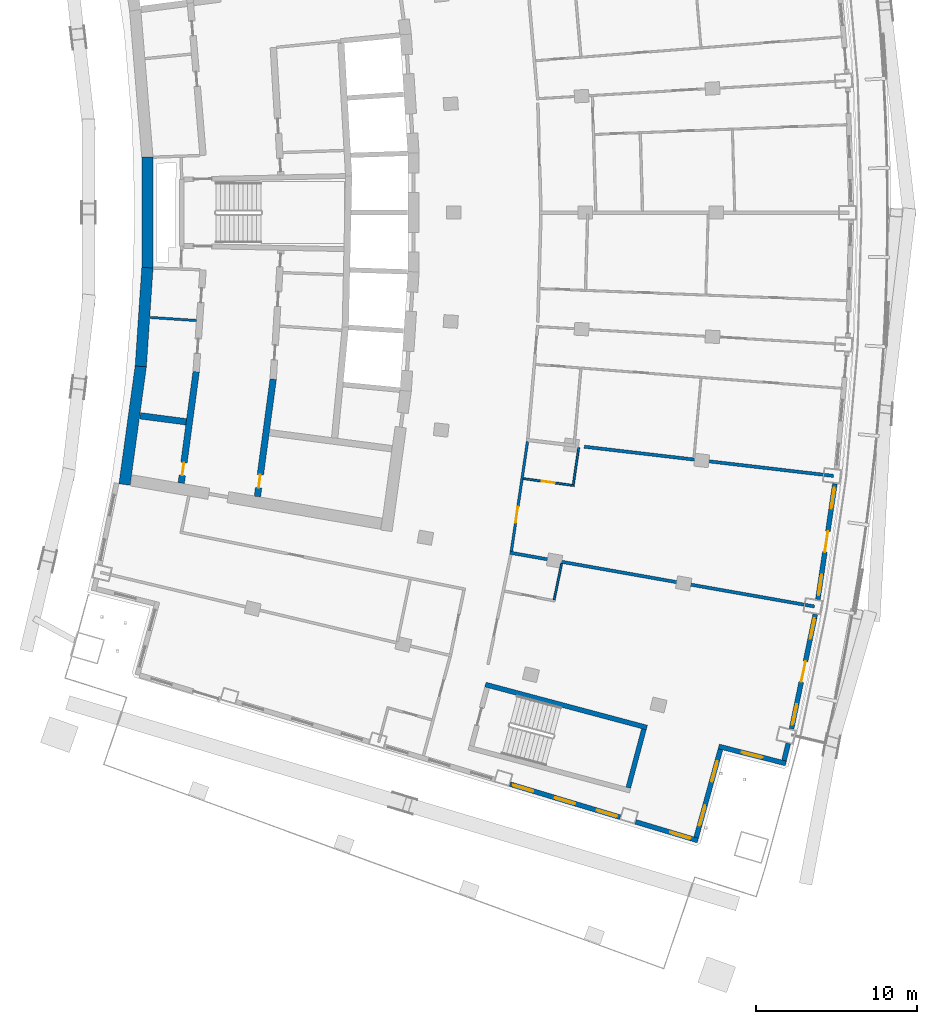
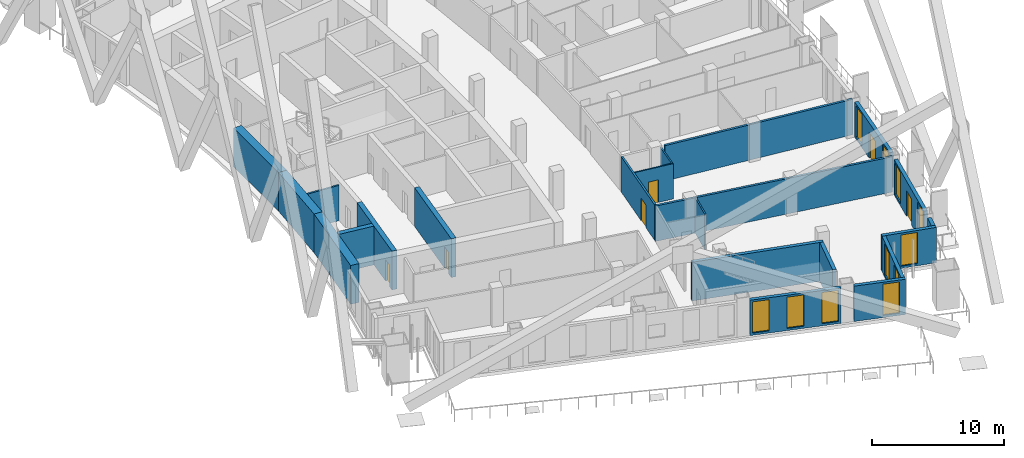
# One storey, part 11 of 20: 22 walls, 11 windows, 6 doors, 17 openings.
"""IFC4 building model written with IfcOpenShell, lengths in metres."""

from ifc_helpers import new_model, si_unit, direction, frame, frame_2d, origin, place, context, subcontext, project, spatial, rectangle, extrude, material, layer, layer_set, type_object, element, fill, save


model = new_model("IFC4")

# Units and contexts
model_context = context("Model", 3, precision=1e-05, world=origin(), true_north=direction((0.0, 1.0)))
body_context = subcontext(model_context, "Body", "Model", "MODEL_VIEW")
ifc_project = project(units=[si_unit("LENGTHUNIT", "METRE"), si_unit("AREAUNIT", "SQUARE_METRE"), si_unit("VOLUMEUNIT", "CUBIC_METRE"), si_unit("PLANEANGLEUNIT", "RADIAN"), si_unit("MASSUNIT", "GRAM", prefix="KILO")], contexts=[model_context])

# Site, building, storey
site_placement = place(None, origin())
site = spatial("IfcSite", under=ifc_project, at=site_placement, CompositionType="ELEMENT")
building_placement = place(site_placement, origin())
building = spatial("IfcBuilding", under=site, at=building_placement, Name="Alderwake Tower", CompositionType="ELEMENT")
storey_placement = place(building_placement, frame((0.0, 0.0, 138.800048828125)))
storey = spatial("IfcBuildingStorey", under=building, at=storey_placement, Name="L33", CompositionType="ELEMENT", Elevation=138.800048828125)

# Walls
ifc_material_1 = material(Name="Gypsum shaft wall system, rated")
ifc_layer_1 = layer(ifc_material_1, 0.14990234375)
ifc_layer_set_1 = layer_set([ifc_layer_1], Name="Core room partition 150")
wall_type_1 = type_object("IfcWallType", Name="Core room partition 150", PredefinedType="PARTITIONING", material=ifc_layer_set_1)
wall_1_placement = place(storey_placement, frame((16.964111328125, 54.49951171875, 0.0), z_axis=(0.0, 0.0, 1.0), x_axis=(0.997759473015, -0.066903168895, 0.0)))
element("IfcWall", 1, at=wall_1_placement, inside=storey, type_object=wall_type_1, Name="CW/L33/PR-70_+0", PredefinedType="PARTITIONING", context=body_context, shape_type="SweptSolid", body=[
    extrude(rectangle(XDim=2.8681640625, YDim=0.14990234375, at=frame_2d((1.43408203125, 0.0))), origin(), (0.0, 0.0, 1.0), 3.280029296875),
])
ifc_material_2 = material(Name="Concrete C70/85", Category="concrete")
ifc_layer_2 = layer(ifc_material_2, 0.699951171875)
ifc_layer_set_2 = layer_set([ifc_layer_2], Name="Core wall outer 700 C70-85")
wall_type_2 = type_object("IfcWallType", Name="Core wall outer 700 C70-85", PredefinedType="SHEAR", material=ifc_layer_set_2)
wall_2_placement = place(storey_placement, frame((15.370849609375, 44.1376953125, 0.0), z_axis=(0.0, 0.0, 1.0), x_axis=(0.136315619812, 0.99066545907, 0.0)))
element("IfcWall", 2, at=wall_2_placement, inside=storey, type_object=wall_type_2, Name="Core wall CW.042", PredefinedType="SHEAR", context=body_context, shape_type="SweptSolid", body=[
    extrude(rectangle(XDim=7.420166015625, YDim=0.699951171875, at=frame_2d((3.7099609375, 0.0))), origin(), (0.0, 0.0, 1.0), 3.599853515625),
])
wall_3_placement = place(storey_placement, frame((16.379638671875, 51.46337890625, 0.0), z_axis=(0.0, 0.0, 1.0), x_axis=(0.066917731608, 0.997758496429, 0.0)))
element("IfcWall", 3, at=wall_3_placement, inside=storey, type_object=wall_type_2, Name="Core wall CW.041", PredefinedType="SHEAR", context=body_context, shape_type="SweptSolid", body=[
    extrude(rectangle(XDim=6.136474609375, YDim=0.699951171875, at=frame_2d((3.068359375, 0.0))), origin(), (0.0, 0.0, 1.0), 3.599853515625),
])
wall_4_placement = place(storey_placement, frame((16.789306640625, 57.561767578125, 0.0), z_axis=(0.0, 0.0, 1.0), x_axis=(0.0, 1.0, 0.0)))
element("IfcWall", 4, at=wall_4_placement, inside=storey, type_object=wall_type_2, Name="Core wall CW.043", PredefinedType="SHEAR", context=body_context, shape_type="SweptSolid", body=[
    extrude(rectangle(XDim=6.87939453125, YDim=0.699951171875, at=frame_2d((3.439697265625, 0.0))), origin(), (0.0, 0.0, 1.0), 3.599853515625),
])

# Wall, opening, door
ifc_material_3 = material(Name="Concrete C70/85", Category="concrete")
ifc_layer_3 = layer(ifc_material_3, 0.39990234375)
ifc_layer_set_3 = layer_set([ifc_layer_3], Name="Core wall spine 400 C70-85")
wall_type_3 = type_object("IfcWallType", Name="Core wall spine 400 C70-85", PredefinedType="SHEAR", material=ifc_layer_set_3)
wall_5_placement = place(storey_placement, frame((19.814697265625, 51.143798828125, 0.0), z_axis=(0.0, 0.0, 1.0), x_axis=(-0.132864871698, -0.991134161387, 0.0)))
wall_5 = element("IfcWall", 5, at=wall_5_placement, inside=storey, type_object=wall_type_3, Name="Core wall CW.033", PredefinedType="SHEAR", context=body_context, shape_type="SweptSolid", body=[
    extrude(rectangle(XDim=6.978759765625, YDim=0.39990234375, at=frame_2d((3.4892578125, 0.0))), origin(), (0.0, 0.0, 1.0), 3.599853515625),
])
opening_1_placement = place(wall_5_placement, frame((5.69677734375, 0.0, 0.0)))
opening_1 = element("IfcOpeningElement", 6, at=opening_1_placement, cuts=wall_5, Name="Opening C007", PredefinedType="OPENING", context=body_context, shape_type="SweptSolid", body=[
    extrude(rectangle(XDim=0.800048828125, YDim=2.0, at=frame_2d((0.39990234375, 1.0))), frame((0.0, 0.2099609375, 0.0), z_axis=(0.0, -1.0, 0.0), x_axis=(1.0, 0.0, 0.0)), (0.0, 0.0, 1.0), 0.419921875),
])
ifc_material_4 = material(Name="Painted steel leaf, rated", Category="steel")
door_type_1 = type_object("IfcDoorType", Name="Riser access door 800", OperationType="SINGLE_SWING_LEFT", PredefinedType="DOOR", material=ifc_material_4)
door_1_placement = place(opening_1_placement, origin())
door_1 = element("IfcDoor", 7, at=door_1_placement, inside=storey, type_object=door_type_1, Name="Riser access door", OperationType="SINGLE_SWING_LEFT", OverallHeight=2.0, OverallWidth=0.800048828125, PredefinedType="DOOR", context=body_context, shape_type="SweptSolid", body=[
    extrude(rectangle(XDim=0.800048828125, YDim=2.0, at=frame_2d((0.39990234375, 1.0))), frame((0.0, 0.02490234375, 0.0), z_axis=(0.0, -1.0, 0.0), x_axis=(1.0, 0.0, 0.0)), (0.0, 0.0, 1.0), 0.050048828125),
])
fill(opening_1, door_1)

wall_6_placement = place(storey_placement, frame((23.6142578125, 43.390869140625, 0.0), z_axis=(0.0, 0.0, 1.0), x_axis=(0.133023466616, 0.991112888287, 0.0)))
wall_6 = element("IfcWall", 8, at=wall_6_placement, inside=storey, type_object=wall_type_3, Name="Core wall CW.047", PredefinedType="SHEAR", context=body_context, shape_type="SweptSolid", body=[
    extrude(rectangle(XDim=7.3466796875, YDim=0.39990234375, at=frame_2d((3.67333984375, 0.0))), origin(), (0.0, 0.0, 1.0), 3.599853515625),
])
opening_2_placement = place(wall_6_placement, frame((0.557861328125, 0.0, 0.0)))
opening_2 = element("IfcOpeningElement", 9, at=opening_2_placement, cuts=wall_6, Name="Opening C014", PredefinedType="OPENING", context=body_context, shape_type="SweptSolid", body=[
    extrude(rectangle(XDim=0.800048828125, YDim=2.0, at=frame_2d((0.39990234375, 1.0))), frame((0.0, 0.2099609375, 0.0), z_axis=(0.0, -1.0, 0.0), x_axis=(1.0, 0.0, 0.0)), (0.0, 0.0, 1.0), 0.419921875),
])
door_2_placement = place(opening_2_placement, origin())
door_2 = element("IfcDoor", 10, at=door_2_placement, inside=storey, type_object=door_type_1, Name="Riser access door", OperationType="SINGLE_SWING_RIGHT", OverallHeight=2.0, OverallWidth=0.800048828125, PredefinedType="DOOR", context=body_context, shape_type="SweptSolid", body=[
    extrude(rectangle(XDim=0.800048828125, YDim=2.0, at=frame_2d((0.39990234375, 1.0))), frame((0.0, 0.02490234375, 0.0), z_axis=(0.0, -1.0, 0.0), x_axis=(1.0, 0.0, 0.0)), (0.0, 0.0, 1.0), 0.050048828125),
])
fill(opening_2, door_2)

# Walls
wall_7_placement = place(storey_placement, frame((16.3408203125, 48.3994140625, 0.0), z_axis=(0.0, 0.0, 1.0), x_axis=(0.991544987266, -0.129763393253, 0.0)))
element("IfcWall", 11, at=wall_7_placement, inside=storey, type_object=wall_type_3, Name="Core wall CW.067", PredefinedType="SHEAR", context=body_context, shape_type="SweptSolid", body=[
    extrude(rectangle(XDim=2.878662109375, YDim=0.39990234375, at=frame_2d((1.439453125, 0.0))), origin(), (0.0, 0.0, 1.0), 3.599853515625),
])
ifc_material_5 = material(Name="Concrete C70/85", Category="concrete")
ifc_layer_4 = layer(ifc_material_5, 0.300048828125)
ifc_layer_set_4 = layer_set([ifc_layer_4], Name="Core wall stair enclosure 300 C70-85")
wall_type_4 = type_object("IfcWallType", Name="Core wall stair enclosure 300 C70-85", PredefinedType="SHEAR", material=ifc_layer_set_4)
wall_8_placement = place(storey_placement, frame((37.75390625, 31.731201171875, 0.0), z_axis=(0.0, 0.0, 1.0), x_axis=(0.966309214305, -0.257383958996, 0.0)))
element("IfcWall", 12, at=wall_8_placement, inside=storey, type_object=wall_type_4, Name="Core wall CW.086", PredefinedType="SHEAR", context=body_context, shape_type="SweptSolid", body=[
    extrude(rectangle(XDim=10.360107421875, YDim=0.300048828125, at=frame_2d((5.18017578125, 0.0))), origin(), (0.0, 0.0, 1.0), 3.599853515625),
])
wall_9_placement = place(storey_placement, frame((46.6162109375, 25.334716796875, 0.0), z_axis=(0.0, 0.0, 1.0), x_axis=(0.257366821694, 0.966313778796, 0.0)))
element("IfcWall", 13, at=wall_9_placement, inside=storey, type_object=wall_type_4, Name="Core wall CW.085", PredefinedType="SHEAR", context=body_context, shape_type="SweptSolid", body=[
    extrude(rectangle(XDim=3.749755859375, YDim=0.300048828125, at=frame_2d((1.875, 0.0))), origin(), (0.0, 0.0, 1.0), 3.599853515625),
])

# Wall, opening, door
ifc_material_6 = material(Name="Gypsum board on metal studs, rated")
ifc_layer_5 = layer(ifc_material_6, 0.159912109375)
ifc_layer_set_5 = layer_set([ifc_layer_5], Name="Corridor wall 160")
wall_type_5 = type_object("IfcWallType", Name="Corridor wall 160", PredefinedType="PARTITIONING", material=ifc_layer_set_5)
wall_10_placement = place(storey_placement, frame((40.3623046875, 46.7939453125, 0.0), z_axis=(0.0, 0.0, 1.0), x_axis=(-0.1455042199, -0.989357630987, 0.0)))
wall_10 = element("IfcWall", 14, at=wall_10_placement, inside=storey, type_object=wall_type_5, Name="WL/L33/W22", PredefinedType="PARTITIONING", context=body_context, shape_type="SweptSolid", body=[
    extrude(rectangle(XDim=6.87109375, YDim=0.159912109375, at=frame_2d((3.435546875, 0.0))), origin(), (0.0, 0.0, 1.0), 3.280029296875),
])
opening_3_placement = place(wall_10_placement, frame((4.087890625, 0.0, 0.0)))
opening_3 = element("IfcOpeningElement", 15, at=opening_3_placement, cuts=wall_10, Name="Opening R09-U04.1", PredefinedType="OPENING", context=body_context, shape_type="SweptSolid", body=[
    extrude(rectangle(XDim=1.0, YDim=2.10009765625, at=frame_2d((0.5, 1.050048828125))), frame((0.0, 0.08984375, 0.0), z_axis=(0.0, -1.0, 0.0), x_axis=(1.0, 0.0, 0.0)), (0.0, 0.0, 1.0), 0.179931640625),
])
ifc_material_7 = material(Name="Solid timber leaf in steel frame", Category="steel")
door_type_2 = type_object("IfcDoorType", Name="Flat entrance door 1000 fire-rated", OperationType="SINGLE_SWING_LEFT", PredefinedType="DOOR", material=ifc_material_7)
door_3_placement = place(opening_3_placement, origin())
door_3 = element("IfcDoor", 16, at=door_3_placement, inside=storey, type_object=door_type_2, Name="DR/L33/U04.1", OperationType="SINGLE_SWING_LEFT", OverallHeight=2.10009765625, OverallWidth=1.0, PredefinedType="DOOR", context=body_context, shape_type="SweptSolid", body=[
    extrude(rectangle(XDim=1.0, YDim=2.10009765625, at=frame_2d((0.5, 1.050048828125))), frame((0.0, 0.02490234375, 0.0), z_axis=(0.0, -1.0, 0.0), x_axis=(1.0, 0.0, 0.0)), (0.0, 0.0, 1.0), 0.050048828125),
])
fill(opening_3, door_3)

# Wall
ifc_material_8 = material(Name="Precast concrete C50/60 spandrel panel", Category="concrete")
ifc_layer_6 = layer(ifc_material_8, 0.300048828125)
ifc_layer_set_6 = layer_set([ifc_layer_6], Name="External wall EW1 Precast concrete C50/60 spandrel")
wall_type_6 = type_object("IfcWallType", Name="External wall EW1 Precast concrete C50/60 spandrel", PredefinedType="SOLIDWALL", material=ifc_layer_set_6)
wall_11_placement = place(storey_placement, frame((56.27490234375, 27.021240234375, 0.0), z_axis=(0.0, 0.0, 1.0), x_axis=(0.238432301371, 0.971159120671, 0.0)))
element("IfcWall", 17, at=wall_11_placement, inside=storey, type_object=wall_type_6, Name="External wall 11", PredefinedType="SOLIDWALL", context=body_context, shape_type="SweptSolid", body=[
    extrude(rectangle(XDim=1.092529296875, YDim=0.300048828125, at=frame_2d((0.54638671875, 0.0))), origin(), (0.0, 0.0, 1.0), 3.280029296875),
])

# Wall, openings, door, windows
wall_12_placement = place(storey_placement, frame((56.739990234375, 28.98828125, 0.0), z_axis=(0.0, 0.0, 1.0), x_axis=(0.202747108549, 0.97923113205, 0.0)))
wall_12 = element("IfcWall", 18, at=wall_12_placement, inside=storey, type_object=wall_type_6, Name="External wall 12", PredefinedType="SOLIDWALL", context=body_context, shape_type="SweptSolid", body=[
    extrude(rectangle(XDim=7.245361328125, YDim=0.300048828125, at=frame_2d((3.62255859375, 0.0))), origin(), (0.0, 0.0, 1.0), 3.280029296875),
])
opening_4_placement = place(wall_12_placement, frame((0.2470703125, 0.0, 0.199951171875)))
opening_4 = element("IfcOpeningElement", 19, at=opening_4_placement, cuts=wall_12, Name="Opening W1", PredefinedType="OPENING", context=body_context, shape_type="SweptSolid", body=[
    extrude(rectangle(XDim=1.300048828125, YDim=2.89990234375, at=frame_2d((0.64990234375, 1.449951171875))), frame((0.0, 0.159912109375, 0.0), z_axis=(0.0, -1.0, 0.0), x_axis=(1.0, 0.0, 0.0)), (0.0, 0.0, 1.0), 0.320068359375),
])
opening_5_placement = place(wall_12_placement, frame((2.97265625, 0.0, 0.0)))
opening_5 = element("IfcOpeningElement", 20, at=opening_5_placement, cuts=wall_12, Name="Opening D02", PredefinedType="OPENING", context=body_context, shape_type="SweptSolid", body=[
    extrude(rectangle(XDim=1.300048828125, YDim=2.39990234375, at=frame_2d((0.64990234375, 1.199951171875))), frame((0.0, 0.159912109375, 0.0), z_axis=(0.0, -1.0, 0.0), x_axis=(1.0, 0.0, 0.0)), (0.0, 0.0, 1.0), 0.320068359375),
])
opening_6_placement = place(wall_12_placement, frame((5.698486328125, 0.0, 0.199951171875)))
opening_6 = element("IfcOpeningElement", 21, at=opening_6_placement, cuts=wall_12, Name="Opening W1", PredefinedType="OPENING", context=body_context, shape_type="SweptSolid", body=[
    extrude(rectangle(XDim=1.300048828125, YDim=2.89990234375, at=frame_2d((0.64990234375, 1.449951171875))), frame((0.0, 0.159912109375, 0.0), z_axis=(0.0, -1.0, 0.0), x_axis=(1.0, 0.0, 0.0)), (0.0, 0.0, 1.0), 0.320068359375),
])
ifc_material_9 = material(Name="Bronze tinted glass in aluminium frame", Category="aluminium")
door_type_3 = type_object("IfcDoorType", Name="Balcony door BD sliding", OperationType="SLIDING_TO_LEFT", PredefinedType="DOOR", material=ifc_material_9)
door_4_placement = place(opening_5_placement, origin())
door_4 = element("IfcDoor", 22, at=door_4_placement, inside=storey, type_object=door_type_3, Name="Door D02", OperationType="SLIDING_TO_LEFT", OverallHeight=2.39990234375, OverallWidth=1.300048828125, PredefinedType="DOOR", context=body_context, shape_type="SweptSolid", body=[
    extrude(rectangle(XDim=1.300048828125, YDim=2.39990234375, at=frame_2d((0.64990234375, 1.199951171875))), frame((0.0, 0.02490234375, 0.0), z_axis=(0.0, -1.0, 0.0), x_axis=(1.0, 0.0, 0.0)), (0.0, 0.0, 1.0), 0.050048828125),
])
fill(opening_5, door_4)
ifc_material_10 = material(Name="Bronze tinted glass in aluminium frame", Category="aluminium")
window_type = type_object("IfcWindowType", Name="Window W1 tall fixed and vent", PartitioningType="DOUBLE_PANEL_VERTICAL", PredefinedType="WINDOW", material=ifc_material_10)
window_1_placement = place(opening_4_placement, origin())
window_1 = element("IfcWindow", 23, at=window_1_placement, inside=storey, type_object=window_type, Name="Window W1 tall fixed and vent", OverallHeight=2.89990234375, OverallWidth=1.300048828125, PartitioningType="DOUBLE_PANEL_VERTICAL", PredefinedType="WINDOW", context=body_context, shape_type="SweptSolid", body=[
    extrude(rectangle(XDim=1.300048828125, YDim=2.89990234375, at=frame_2d((0.64990234375, 1.449951171875))), frame((0.0, 0.030029296875, 0.0), z_axis=(0.0, -1.0, 0.0), x_axis=(1.0, 0.0, 0.0)), (0.0, 0.0, 1.0), 0.06005859375),
])
fill(opening_4, window_1)
window_2_placement = place(opening_6_placement, origin())
window_2 = element("IfcWindow", 24, at=window_2_placement, inside=storey, type_object=window_type, Name="Window W1 tall fixed and vent", OverallHeight=2.89990234375, OverallWidth=1.300048828125, PartitioningType="DOUBLE_PANEL_VERTICAL", PredefinedType="WINDOW", context=body_context, shape_type="SweptSolid", body=[
    extrude(rectangle(XDim=1.300048828125, YDim=2.89990234375, at=frame_2d((0.64990234375, 1.449951171875))), frame((0.0, 0.030029296875, 0.0), z_axis=(0.0, -1.0, 0.0), x_axis=(1.0, 0.0, 0.0)), (0.0, 0.0, 1.0), 0.06005859375),
])
fill(opening_6, window_2)

wall_13_placement = place(storey_placement, frame((58.37353515625, 37.0146484375, 0.0), z_axis=(0.0, 0.0, 1.0), x_axis=(0.145331014962, 0.989383088642, 0.0)))
wall_13 = element("IfcWall", 25, at=wall_13_placement, inside=storey, type_object=wall_type_6, Name="External wall 13", PredefinedType="SOLIDWALL", context=body_context, shape_type="SweptSolid", body=[
    extrude(rectangle(XDim=7.245361328125, YDim=0.300048828125, at=frame_2d((3.62255859375, 0.0))), origin(), (0.0, 0.0, 1.0), 3.280029296875),
])
opening_7_placement = place(wall_13_placement, frame((0.2470703125, 0.0, 0.199951171875)))
opening_7 = element("IfcOpeningElement", 26, at=opening_7_placement, cuts=wall_13, Name="Opening W1", PredefinedType="OPENING", context=body_context, shape_type="SweptSolid", body=[
    extrude(rectangle(XDim=1.300048828125, YDim=2.89990234375, at=frame_2d((0.64990234375, 1.449951171875))), frame((0.0, 0.159912109375, 0.0), z_axis=(0.0, -1.0, 0.0), x_axis=(1.0, 0.0, 0.0)), (0.0, 0.0, 1.0), 0.320068359375),
])
opening_8_placement = place(wall_13_placement, frame((2.97265625, 0.0, 0.0)))
opening_8 = element("IfcOpeningElement", 27, at=opening_8_placement, cuts=wall_13, Name="Opening D03", PredefinedType="OPENING", context=body_context, shape_type="SweptSolid", body=[
    extrude(rectangle(XDim=1.300048828125, YDim=2.39990234375, at=frame_2d((0.64990234375, 1.199951171875))), frame((0.0, 0.159912109375, 0.0), z_axis=(0.0, -1.0, 0.0), x_axis=(1.0, 0.0, 0.0)), (0.0, 0.0, 1.0), 0.320068359375),
])
opening_9_placement = place(wall_13_placement, frame((5.698486328125, 0.0, 0.199951171875)))
opening_9 = element("IfcOpeningElement", 28, at=opening_9_placement, cuts=wall_13, Name="Opening W1", PredefinedType="OPENING", context=body_context, shape_type="SweptSolid", body=[
    extrude(rectangle(XDim=1.300048828125, YDim=2.89990234375, at=frame_2d((0.64990234375, 1.449951171875))), frame((0.0, 0.159912109375, 0.0), z_axis=(0.0, -1.0, 0.0), x_axis=(1.0, 0.0, 0.0)), (0.0, 0.0, 1.0), 0.320068359375),
])
door_5_placement = place(opening_8_placement, origin())
door_5 = element("IfcDoor", 29, at=door_5_placement, inside=storey, type_object=door_type_3, Name="Door D03", OperationType="SLIDING_TO_LEFT", OverallHeight=2.39990234375, OverallWidth=1.300048828125, PredefinedType="DOOR", context=body_context, shape_type="SweptSolid", body=[
    extrude(rectangle(XDim=1.300048828125, YDim=2.39990234375, at=frame_2d((0.64990234375, 1.199951171875))), frame((0.0, 0.02490234375, 0.0), z_axis=(0.0, -1.0, 0.0), x_axis=(1.0, 0.0, 0.0)), (0.0, 0.0, 1.0), 0.050048828125),
])
fill(opening_8, door_5)
window_3_placement = place(opening_7_placement, origin())
window_3 = element("IfcWindow", 30, at=window_3_placement, inside=storey, type_object=window_type, Name="Window W1 tall fixed and vent", OverallHeight=2.89990234375, OverallWidth=1.300048828125, PartitioningType="DOUBLE_PANEL_VERTICAL", PredefinedType="WINDOW", context=body_context, shape_type="SweptSolid", body=[
    extrude(rectangle(XDim=1.300048828125, YDim=2.89990234375, at=frame_2d((0.64990234375, 1.449951171875))), frame((0.0, 0.030029296875, 0.0), z_axis=(0.0, -1.0, 0.0), x_axis=(1.0, 0.0, 0.0)), (0.0, 0.0, 1.0), 0.06005859375),
])
fill(opening_7, window_3)
window_4_placement = place(opening_9_placement, origin())
window_4 = element("IfcWindow", 31, at=window_4_placement, inside=storey, type_object=window_type, Name="Window W1 tall fixed and vent", OverallHeight=2.89990234375, OverallWidth=1.300048828125, PartitioningType="DOUBLE_PANEL_VERTICAL", PredefinedType="WINDOW", context=body_context, shape_type="SweptSolid", body=[
    extrude(rectangle(XDim=1.300048828125, YDim=2.89990234375, at=frame_2d((0.64990234375, 1.449951171875))), frame((0.0, 0.030029296875, 0.0), z_axis=(0.0, -1.0, 0.0), x_axis=(1.0, 0.0, 0.0)), (0.0, 0.0, 1.0), 0.06005859375),
])
fill(opening_9, window_4)

# Wall, openings, windows
ifc_material_11 = material(Name="Bronze metal cladding on lightweight framing")
ifc_layer_7 = layer(ifc_material_11, 0.300048828125)
ifc_layer_set_7 = layer_set([ifc_layer_7], Name="External wall EW2 bronze metal cladding")
wall_type_7 = type_object("IfcWallType", Name="External wall EW2 bronze metal cladding", PredefinedType="SOLIDWALL", material=ifc_layer_set_7)
wall_14_placement = place(storey_placement, frame((39.279052734375, 25.554443359375, 0.0), z_axis=(0.0, 0.0, 1.0), x_axis=(0.957760288356, -0.287567783397, 0.0)))
wall_14 = element("IfcWall", 32, at=wall_14_placement, inside=storey, type_object=wall_type_7, Name="External wall 7", PredefinedType="SOLIDWALL", context=body_context, shape_type="SweptSolid", body=[
    extrude(rectangle(XDim=7.1298828125, YDim=0.300048828125, at=frame_2d((3.56494140625, 0.0))), origin(), (0.0, 0.0, 1.0), 3.280029296875),
])
opening_10_placement = place(wall_14_placement, frame((0.20361328125, 0.0, 0.199951171875)))
opening_10 = element("IfcOpeningElement", 33, at=opening_10_placement, cuts=wall_14, Name="Opening W1", PredefinedType="OPENING", context=body_context, shape_type="SweptSolid", body=[
    extrude(rectangle(XDim=1.300048828125, YDim=2.89990234375, at=frame_2d((0.64990234375, 1.449951171875))), frame((0.0, 0.159912109375, 0.0), z_axis=(0.0, -1.0, 0.0), x_axis=(1.0, 0.0, 0.0)), (0.0, 0.0, 1.0), 0.320068359375),
])
opening_11_placement = place(wall_14_placement, frame((2.914794921875, 0.0, 0.199951171875)))
opening_11 = element("IfcOpeningElement", 34, at=opening_11_placement, cuts=wall_14, Name="Opening W1", PredefinedType="OPENING", context=body_context, shape_type="SweptSolid", body=[
    extrude(rectangle(XDim=1.300048828125, YDim=2.89990234375, at=frame_2d((0.64990234375, 1.449951171875))), frame((0.0, 0.159912109375, 0.0), z_axis=(0.0, -1.0, 0.0), x_axis=(1.0, 0.0, 0.0)), (0.0, 0.0, 1.0), 0.320068359375),
])
opening_12_placement = place(wall_14_placement, frame((5.6259765625, 0.0, 0.199951171875)))
opening_12 = element("IfcOpeningElement", 35, at=opening_12_placement, cuts=wall_14, Name="Opening W1", PredefinedType="OPENING", context=body_context, shape_type="SweptSolid", body=[
    extrude(rectangle(XDim=1.300048828125, YDim=2.89990234375, at=frame_2d((0.64990234375, 1.449951171875))), frame((0.0, 0.159912109375, 0.0), z_axis=(0.0, -1.0, 0.0), x_axis=(1.0, 0.0, 0.0)), (0.0, 0.0, 1.0), 0.320068359375),
])
window_5_placement = place(opening_10_placement, origin())
window_5 = element("IfcWindow", 36, at=window_5_placement, inside=storey, type_object=window_type, Name="Window W1 tall fixed and vent", OverallHeight=2.89990234375, OverallWidth=1.300048828125, PartitioningType="DOUBLE_PANEL_VERTICAL", PredefinedType="WINDOW", context=body_context, shape_type="SweptSolid", body=[
    extrude(rectangle(XDim=1.300048828125, YDim=2.89990234375, at=frame_2d((0.64990234375, 1.449951171875))), frame((0.0, 0.030029296875, 0.0), z_axis=(0.0, -1.0, 0.0), x_axis=(1.0, 0.0, 0.0)), (0.0, 0.0, 1.0), 0.06005859375),
])
fill(opening_10, window_5)
window_6_placement = place(opening_11_placement, origin())
window_6 = element("IfcWindow", 37, at=window_6_placement, inside=storey, type_object=window_type, Name="Window W1 tall fixed and vent", OverallHeight=2.89990234375, OverallWidth=1.300048828125, PartitioningType="DOUBLE_PANEL_VERTICAL", PredefinedType="WINDOW", context=body_context, shape_type="SweptSolid", body=[
    extrude(rectangle(XDim=1.300048828125, YDim=2.89990234375, at=frame_2d((0.64990234375, 1.449951171875))), frame((0.0, 0.030029296875, 0.0), z_axis=(0.0, -1.0, 0.0), x_axis=(1.0, 0.0, 0.0)), (0.0, 0.0, 1.0), 0.06005859375),
])
fill(opening_11, window_6)
window_7_placement = place(opening_12_placement, origin())
window_7 = element("IfcWindow", 38, at=window_7_placement, inside=storey, type_object=window_type, Name="Window W1 tall fixed and vent", OverallHeight=2.89990234375, OverallWidth=1.300048828125, PartitioningType="DOUBLE_PANEL_VERTICAL", PredefinedType="WINDOW", context=body_context, shape_type="SweptSolid", body=[
    extrude(rectangle(XDim=1.300048828125, YDim=2.89990234375, at=frame_2d((0.64990234375, 1.449951171875))), frame((0.0, 0.030029296875, 0.0), z_axis=(0.0, -1.0, 0.0), x_axis=(1.0, 0.0, 0.0)), (0.0, 0.0, 1.0), 0.06005859375),
])
fill(opening_12, window_7)

# Wall, opening, window
wall_15_placement = place(storey_placement, frame((47.06884765625, 23.215576171875, 0.0), z_axis=(0.0, 0.0, 1.0), x_axis=(0.957766232728, -0.287547984598, 0.0)))
wall_15 = element("IfcWall", 39, at=wall_15_placement, inside=storey, type_object=wall_type_7, Name="External wall 8", PredefinedType="SOLIDWALL", context=body_context, shape_type="SweptSolid", body=[
    extrude(rectangle(XDim=4.029541015625, YDim=0.300048828125, at=frame_2d((2.0146484375, 0.0))), origin(), (0.0, 0.0, 1.0), 3.280029296875),
])
opening_13_placement = place(wall_15_placement, frame((2.24658203125, 0.0, 0.199951171875)))
opening_13 = element("IfcOpeningElement", 40, at=opening_13_placement, cuts=wall_15, Name="Opening W1", PredefinedType="OPENING", context=body_context, shape_type="SweptSolid", body=[
    extrude(rectangle(XDim=1.300048828125, YDim=2.89990234375, at=frame_2d((0.64990234375, 1.449951171875))), frame((0.0, 0.159912109375, 0.0), z_axis=(0.0, -1.0, 0.0), x_axis=(1.0, 0.0, 0.0)), (0.0, 0.0, 1.0), 0.320068359375),
])
window_8_placement = place(opening_13_placement, origin())
window_8 = element("IfcWindow", 41, at=window_8_placement, inside=storey, type_object=window_type, Name="Window W1 tall fixed and vent", OverallHeight=2.89990234375, OverallWidth=1.300048828125, PartitioningType="DOUBLE_PANEL_VERTICAL", PredefinedType="WINDOW", context=body_context, shape_type="SweptSolid", body=[
    extrude(rectangle(XDim=1.300048828125, YDim=2.89990234375, at=frame_2d((0.64990234375, 1.449951171875))), frame((0.0, 0.030029296875, 0.0), z_axis=(0.0, -1.0, 0.0), x_axis=(1.0, 0.0, 0.0)), (0.0, 0.0, 1.0), 0.06005859375),
])
fill(opening_13, window_8)

# Wall, openings, windows
wall_16_placement = place(storey_placement, frame((50.82421875, 22.24462890625, 0.0), z_axis=(0.0, 0.0, 1.0), x_axis=(0.265135464682, 0.964211172601, 0.0)))
wall_16 = element("IfcWall", 42, at=wall_16_placement, inside=storey, type_object=wall_type_7, Name="External wall 9", PredefinedType="SOLIDWALL", context=body_context, shape_type="SweptSolid", body=[
    extrude(rectangle(XDim=5.66943359375, YDim=0.300048828125, at=frame_2d((2.834716796875, 0.0))), origin(), (0.0, 0.0, 1.0), 3.280029296875),
])
opening_14_placement = place(wall_16_placement, frame((0.767333984375, 0.0, 0.199951171875)))
opening_14 = element("IfcOpeningElement", 43, at=opening_14_placement, cuts=wall_16, Name="Opening W1", PredefinedType="OPENING", context=body_context, shape_type="SweptSolid", body=[
    extrude(rectangle(XDim=1.300048828125, YDim=2.89990234375, at=frame_2d((0.64990234375, 1.449951171875))), frame((0.0, 0.159912109375, 0.0), z_axis=(0.0, -1.0, 0.0), x_axis=(1.0, 0.0, 0.0)), (0.0, 0.0, 1.0), 0.320068359375),
])
opening_15_placement = place(wall_16_placement, frame((3.60205078125, 0.0, 0.199951171875)))
opening_15 = element("IfcOpeningElement", 44, at=opening_15_placement, cuts=wall_16, Name="Opening W1", PredefinedType="OPENING", context=body_context, shape_type="SweptSolid", body=[
    extrude(rectangle(XDim=1.300048828125, YDim=2.89990234375, at=frame_2d((0.64990234375, 1.449951171875))), frame((0.0, 0.159912109375, 0.0), z_axis=(0.0, -1.0, 0.0), x_axis=(1.0, 0.0, 0.0)), (0.0, 0.0, 1.0), 0.320068359375),
])
window_9_placement = place(opening_14_placement, origin())
window_9 = element("IfcWindow", 45, at=window_9_placement, inside=storey, type_object=window_type, Name="Window W1 tall fixed and vent", OverallHeight=2.89990234375, OverallWidth=1.300048828125, PartitioningType="DOUBLE_PANEL_VERTICAL", PredefinedType="WINDOW", context=body_context, shape_type="SweptSolid", body=[
    extrude(rectangle(XDim=1.300048828125, YDim=2.89990234375, at=frame_2d((0.64990234375, 1.449951171875))), frame((0.0, 0.030029296875, 0.0), z_axis=(0.0, -1.0, 0.0), x_axis=(1.0, 0.0, 0.0)), (0.0, 0.0, 1.0), 0.06005859375),
])
fill(opening_14, window_9)
window_10_placement = place(opening_15_placement, origin())
window_10 = element("IfcWindow", 46, at=window_10_placement, inside=storey, type_object=window_type, Name="Window W1 tall fixed and vent", OverallHeight=2.89990234375, OverallWidth=1.300048828125, PartitioningType="DOUBLE_PANEL_VERTICAL", PredefinedType="WINDOW", context=body_context, shape_type="SweptSolid", body=[
    extrude(rectangle(XDim=1.300048828125, YDim=2.89990234375, at=frame_2d((0.64990234375, 1.449951171875))), frame((0.0, 0.030029296875, 0.0), z_axis=(0.0, -1.0, 0.0), x_axis=(1.0, 0.0, 0.0)), (0.0, 0.0, 1.0), 0.06005859375),
])
fill(opening_15, window_10)

# Wall, opening, window
wall_17_placement = place(storey_placement, frame((52.2216796875, 27.892578125, 0.0), z_axis=(0.0, 0.0, 1.0), x_axis=(0.969429385377, -0.245370468408, 0.0)))
wall_17 = element("IfcWall", 47, at=wall_17_placement, inside=storey, type_object=wall_type_7, Name="External wall 10", PredefinedType="SOLIDWALL", context=body_context, shape_type="SweptSolid", body=[
    extrude(rectangle(XDim=4.29443359375, YDim=0.300048828125, at=frame_2d((2.147216796875, 0.0))), origin(), (0.0, 0.0, 1.0), 3.280029296875),
])
opening_16_placement = place(wall_17_placement, frame((1.4970703125, 0.0, 0.199951171875)))
opening_16 = element("IfcOpeningElement", 48, at=opening_16_placement, cuts=wall_17, Name="Opening W1", PredefinedType="OPENING", context=body_context, shape_type="SweptSolid", body=[
    extrude(rectangle(XDim=1.300048828125, YDim=2.89990234375, at=frame_2d((0.64990234375, 1.449951171875))), frame((0.0, 0.159912109375, 0.0), z_axis=(0.0, -1.0, 0.0), x_axis=(1.0, 0.0, 0.0)), (0.0, 0.0, 1.0), 0.320068359375),
])
window_11_placement = place(opening_16_placement, origin())
window_11 = element("IfcWindow", 49, at=window_11_placement, inside=storey, type_object=window_type, Name="Window W1 tall fixed and vent", OverallHeight=2.89990234375, OverallWidth=1.300048828125, PartitioningType="DOUBLE_PANEL_VERTICAL", PredefinedType="WINDOW", context=body_context, shape_type="SweptSolid", body=[
    extrude(rectangle(XDim=1.300048828125, YDim=2.89990234375, at=frame_2d((0.64990234375, 1.449951171875))), frame((0.0, 0.030029296875, 0.0), z_axis=(0.0, -1.0, 0.0), x_axis=(1.0, 0.0, 0.0)), (0.0, 0.0, 1.0), 0.06005859375),
])
fill(opening_16, window_11)

# Walls
ifc_material_12 = material(Name="Dense block masonry wall", Category="masonry")
ifc_layer_8 = layer(ifc_material_12, 0.199951171875)
ifc_layer_set_8 = layer_set([ifc_layer_8], Name="Party wall 200")
wall_type_8 = type_object("IfcWallType", Name="Party wall 200", PredefinedType="SOLIDWALL", material=ifc_layer_set_8)
wall_18_placement = place(storey_placement, frame((58.157958984375, 36.572998046875, 0.0), z_axis=(0.0, 0.0, 1.0), x_axis=(-0.984742528345, 0.174017679758, 0.0)))
element("IfcWall", 50, at=wall_18_placement, inside=storey, type_object=wall_type_8, Name="WL/L33/W04", PredefinedType="SOLIDWALL", context=body_context, shape_type="SweptSolid", body=[
    extrude(rectangle(XDim=19.181396484375, YDim=0.199951171875, at=frame_2d((9.5908203125, 0.0))), origin(), (0.0, 0.0, 1.0), 3.280029296875),
])
wall_19_placement = place(storey_placement, frame((59.345947265625, 44.669921875, 0.0), z_axis=(0.0, 0.0, 1.0), x_axis=(-0.993200294358, 0.116418105499, 0.0)))
element("IfcWall", 51, at=wall_19_placement, inside=storey, type_object=wall_type_8, Name="WL/L33/W05", PredefinedType="SOLIDWALL", context=body_context, shape_type="SweptSolid", body=[
    extrude(rectangle(XDim=15.56689453125, YDim=0.199951171875, at=frame_2d((7.783447265625, 0.0))), origin(), (0.0, 0.0, 1.0), 3.280029296875),
])

# Wall, opening, door
ifc_material_13 = material(Name="Moisture resistant gypsum board on metal studs")
ifc_layer_9 = layer(ifc_material_13, 0.1201171875)
ifc_layer_set_9 = layer_set([ifc_layer_9], Name="Wet room partition 120")
wall_type_9 = type_object("IfcWallType", Name="Wet room partition 120", PredefinedType="PARTITIONING", material=ifc_layer_set_9)
wall_20_placement = place(storey_placement, frame((40.105224609375, 44.503173828125, 0.0), z_axis=(0.0, 0.0, 1.0), x_axis=(0.990717255946, -0.135938658114, 0.0)))
wall_20 = element("IfcWall", 52, at=wall_20_placement, inside=storey, type_object=wall_type_9, Name="WL/L33/W35", PredefinedType="PARTITIONING", context=body_context, shape_type="SweptSolid", body=[
    extrude(rectangle(XDim=3.1806640625, YDim=0.1201171875, at=frame_2d((1.59033203125, 0.0))), origin(), (0.0, 0.0, 1.0), 3.280029296875),
])
opening_17_placement = place(wall_20_placement, frame((1.159912109375, 0.0, 0.0)))
opening_17 = element("IfcOpeningElement", 53, at=opening_17_placement, cuts=wall_20, Name="Opening R09-U04.2", PredefinedType="OPENING", context=body_context, shape_type="SweptSolid", body=[
    extrude(rectangle(XDim=0.800048828125, YDim=2.10009765625, at=frame_2d((0.39990234375, 1.050048828125))), frame((0.0, 0.070068359375, 0.0), z_axis=(0.0, -1.0, 0.0), x_axis=(1.0, 0.0, 0.0)), (0.0, 0.0, 1.0), 0.14013671875),
])
ifc_material_14 = material(Name="Painted timber leaf", Category="wood")
door_type_4 = type_object("IfcDoorType", Name="Bathroom door 800", OperationType="SINGLE_SWING_LEFT", PredefinedType="DOOR", material=ifc_material_14)
door_6_placement = place(opening_17_placement, origin())
door_6 = element("IfcDoor", 54, at=door_6_placement, inside=storey, type_object=door_type_4, Name="DR/L33/U04.2", OperationType="SINGLE_SWING_LEFT", OverallHeight=2.10009765625, OverallWidth=0.800048828125, PredefinedType="DOOR", context=body_context, shape_type="SweptSolid", body=[
    extrude(rectangle(XDim=0.800048828125, YDim=2.10009765625, at=frame_2d((0.39990234375, 1.050048828125))), frame((0.0, 0.02490234375, 0.0), z_axis=(0.0, -1.0, 0.0), x_axis=(1.0, 0.0, 0.0)), (0.0, 0.0, 1.0), 0.050048828125),
])
fill(opening_17, door_6)

# Walls
wall_21_placement = place(storey_placement, frame((42.01220703125, 36.98291015625, 0.0), z_axis=(0.0, 0.0, 1.0), x_axis=(0.202902782082, 0.979198887368, 0.0)))
element("IfcWall", 55, at=wall_21_placement, inside=storey, type_object=wall_type_9, Name="WL/L33/W36", PredefinedType="PARTITIONING", context=body_context, shape_type="SweptSolid", body=[
    extrude(rectangle(XDim=2.30908203125, YDim=0.1201171875, at=frame_2d((1.154541015625, 0.0))), origin(), (0.0, 0.0, 1.0), 3.280029296875),
])
wall_22_placement = place(storey_placement, frame((43.205810546875, 44.138427734375, 0.0), z_axis=(0.0, 0.0, 1.0), x_axis=(0.144604677987, 0.989489508335, 0.0)))
element("IfcWall", 56, at=wall_22_placement, inside=storey, type_object=wall_type_9, Name="WL/L33/W38", PredefinedType="PARTITIONING", context=body_context, shape_type="SweptSolid", body=[
    extrude(rectangle(XDim=2.307861328125, YDim=0.1201171875, at=frame_2d((1.15380859375, 0.0))), origin(), (0.0, 0.0, 1.0), 3.280029296875),
])

save(model, "model.ifc")
